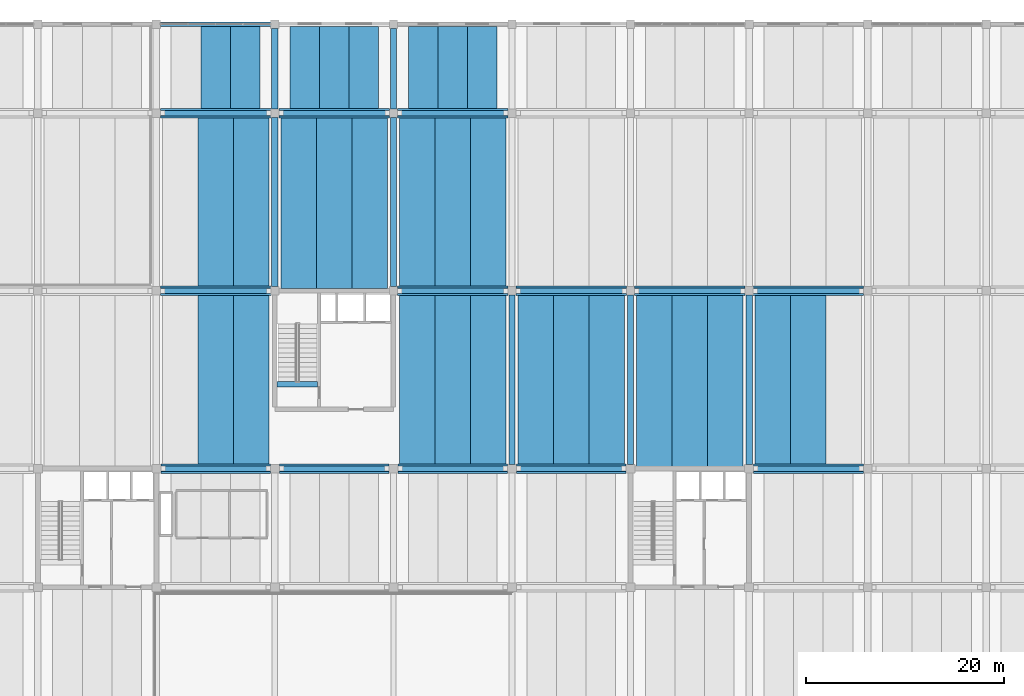
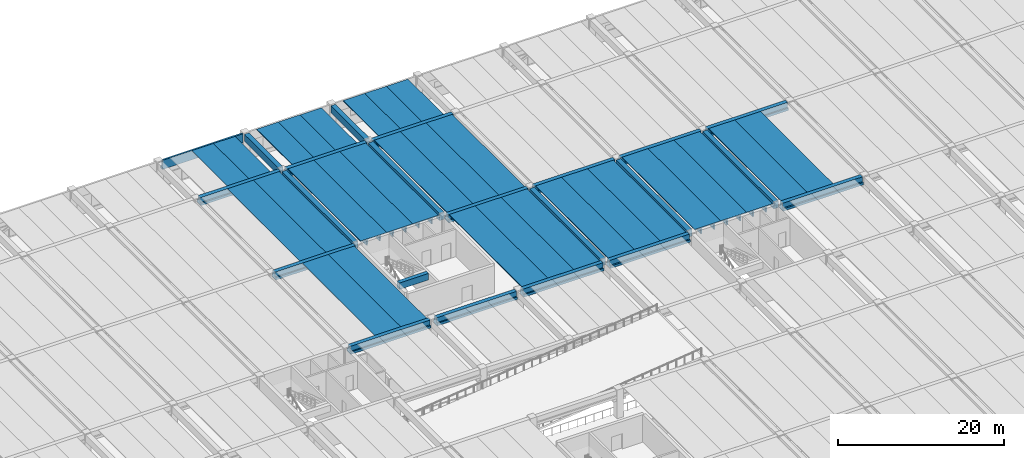
# One storey, part 18 of 50: 51 beams.
"""IFC4 building model written with IfcOpenShell, lengths in metres."""

from ifc_helpers import new_model, si_unit, direction, frame, origin, origin_2d, place, context, subcontext, project, spatial, polyline, rectangle, outline, extrude, material, material_profile, profile_set, type_object, element, save


model = new_model("IFC4")

# Units and contexts
model_context = context("Model", 3, precision=1e-05, world=origin(), true_north=direction((0.0, 1.0)))
body_context = subcontext(model_context, "Body", "Model", "MODEL_VIEW")
ifc_project = project(units=[si_unit("LENGTHUNIT", "METRE"), si_unit("AREAUNIT", "SQUARE_METRE"), si_unit("VOLUMEUNIT", "CUBIC_METRE"), si_unit("PLANEANGLEUNIT", "RADIAN"), si_unit("MASSUNIT", "GRAM", prefix="KILO")], contexts=[model_context])

# Site, building, storey
site_placement = place(None, origin())
site = spatial("IfcSite", under=ifc_project, at=site_placement, CompositionType="ELEMENT")
building_placement = place(site_placement, origin())
building = spatial("IfcBuilding", under=site, at=building_placement, Name="Girod Span Mobility Hub", CompositionType="ELEMENT")
storey_placement = place(building_placement, frame((0.0, 0.0, 5.39990234375)))
storey = spatial("IfcBuildingStorey", under=building, at=storey_placement, Name="L01", CompositionType="ELEMENT", Elevation=5.39990234375)

# Beams
ifc_material_1 = material(Name="Concrete C50/60", Category="concrete")
ifc_material_profile_1 = material_profile(ifc_material_1, outline(polyline([(-1.5, 0.35009765625), (-1.5, 0.2548828125), (-0.840087890625, 0.2548828125), (-0.81494140625, -0.35009765625), (-0.68505859375, -0.35009765625), (-0.659912109375, 0.2548828125), (0.659912109375, 0.2548828125), (0.68505859375, -0.35009765625), (0.81494140625, -0.35009765625), (0.840087890625, 0.2548828125), (1.5, 0.2548828125), (1.5, 0.35009765625), (-1.5, 0.35009765625)])), Name="DT-3000X700")
ifc_profile_set_1 = profile_set([ifc_material_profile_1], Name="Concrete C50/60")
beam_type_1 = type_object("IfcBeamType", Name="BM-DT-3000X700", PredefinedType="JOIST", material=ifc_profile_set_1)
for number, where, z_axis, x_axis, name in (
    (1, (66.0, 105.27197265625, 3.690185546875), (0.0, 1.0, 0.0), (-1.0, 0.0, 0.0), "Double-Tee Deck 6/H-2 L01"),
    (2, (69.0, 105.27197265625, 3.690185546875), (0.0, 1.0, 0.0), (-1.0, 0.0, 0.0), "Double-Tee Deck 6/H-3 L01"),
    (3, (75.0, 105.27197265625, 3.690185546875), (0.0, 1.0, 0.0), (-1.0, 0.0, 0.0), "Double-Tee Deck 7/H-1 L01"),
    (4, (78.0, 105.27197265625, 3.690185546875), (0.0, 1.0, 0.0), (-1.0, 0.0, 0.0), "Double-Tee Deck 7/H-2 L01"),
    (5, (81.0, 105.27197265625, 3.690185546875), (0.0, 1.0, 0.0), (-1.0, 0.0, 0.0), "Double-Tee Deck 7/H-3 L01"),
    (6, (87.0, 105.27197265625, 3.690185546875), (0.0, 1.0, 0.0), (-1.0, 0.0, 0.0), "Double-Tee Deck 8/H-1 L01"),
    (7, (90.0, 105.27197265625, 3.690185546875), (0.0, 1.0, 0.0), (-1.0, 0.0, 0.0), "Double-Tee Deck 8/H-2 L01"),
    (8, (93.0, 105.27197265625, 3.690185546875), (0.0, 1.0, 0.0), (-1.0, 0.0, 0.0), "Double-Tee Deck 8/H-3 L01"),
):
    element("IfcBeam", number, at=place(storey_placement, frame(where, z_axis=z_axis, x_axis=x_axis)), inside=storey, type_object=beam_type_1, Name=name, PredefinedType="JOIST", context=body_context, shape_type="SweptSolid", body=[
        extrude(outline(polyline([(-1.5, 0.35009765625), (-1.5, 0.2548828125), (-0.840087890625, 0.2548828125), (-0.81494140625, -0.35009765625), (-0.68505859375, -0.35009765625), (-0.659912109375, 0.2548828125), (0.659912109375, 0.2548828125), (0.68505859375, -0.35009765625), (0.81494140625, -0.35009765625), (0.840087890625, 0.2548828125), (1.5, 0.2548828125), (1.5, 0.35009765625), (-1.5, 0.35009765625)])), origin(), (0.0, 0.0, 1.0), 8.506103515625),
    ])
ifc_material_2 = material(Name="Concrete C50/60", Category="concrete")
ifc_material_profile_2 = material_profile(ifc_material_2, outline(polyline([(-1.800048828125, 0.47509765625), (-1.800048828125, 0.364990234375), (-1.010009765625, 0.364990234375), (-0.97509765625, -0.47509765625), (-0.824951171875, -0.47509765625), (-0.7900390625, 0.364990234375), (0.7900390625, 0.364990234375), (0.824951171875, -0.47509765625), (0.97509765625, -0.47509765625), (1.010009765625, 0.364990234375), (1.800048828125, 0.364990234375), (1.800048828125, 0.47509765625), (-1.800048828125, 0.47509765625)])), Name="DT-3600X950")
ifc_profile_set_2 = profile_set([ifc_material_profile_2], Name="Concrete C50/60")
beam_type_2 = type_object("IfcBeamType", Name="BM-DT-3600X950", PredefinedType="JOIST", material=ifc_profile_set_2)
for number, where, z_axis, x_axis, name in (
    (9, (66.0, 69.27197265625, 3.565185546875), (0.0, 1.0, 0.0), (-1.0, 0.0, 0.0), "Double-Tee Deck 6/F-2 L01"),
    (10, (69.60009765625, 69.27197265625, 3.565185546875), (0.0, 1.0, 0.0), (-1.0, 0.0, 0.0), "Double-Tee Deck 6/F-3 L01"),
    (11, (66.0, 87.27197265625, 3.565185546875), (0.0, 1.0, 0.0), (-1.0, 0.0, 0.0), "Double-Tee Deck 6/G-2 L01"),
    (12, (69.60009765625, 87.27197265625, 3.565185546875), (0.0, 1.0, 0.0), (-1.0, 0.0, 0.0), "Double-Tee Deck 6/G-3 L01"),
):
    element("IfcBeam", number, at=place(storey_placement, frame(where, z_axis=z_axis, x_axis=x_axis)), inside=storey, type_object=beam_type_2, Name=name, PredefinedType="JOIST", context=body_context, shape_type="SweptSolid", body=[
        extrude(outline(polyline([(-1.800048828125, 0.47509765625), (-1.800048828125, 0.364990234375), (-1.010009765625, 0.364990234375), (-0.97509765625, -0.47509765625), (-0.824951171875, -0.47509765625), (-0.7900390625, 0.364990234375), (0.7900390625, 0.364990234375), (0.824951171875, -0.47509765625), (0.97509765625, -0.47509765625), (1.010009765625, 0.364990234375), (1.800048828125, 0.364990234375), (1.800048828125, 0.47509765625), (-1.800048828125, 0.47509765625)])), origin(), (0.0, 0.0, 1.0), 17.4560546875),
    ])
for number, where, z_axis, x_axis, name in (
    (13, (74.39990234375, 87.221923828125, 3.565185546875), (0.0, 1.0, 0.0), (-1.0, 0.0, 0.0), "Double-Tee Deck 7/G-1 L01"),
    (14, (78.0, 87.221923828125, 3.565185546875), (0.0, 1.0, 0.0), (-1.0, 0.0, 0.0), "Double-Tee Deck 7/G-2 L01"),
    (15, (81.60009765625, 87.221923828125, 3.565185546875), (0.0, 1.0, 0.0), (-1.0, 0.0, 0.0), "Double-Tee Deck 7/G-3 L01"),
):
    element("IfcBeam", number, at=place(storey_placement, frame(where, z_axis=z_axis, x_axis=x_axis)), inside=storey, type_object=beam_type_2, Name=name, PredefinedType="JOIST", context=body_context, shape_type="SweptSolid", body=[
        extrude(outline(polyline([(-1.800048828125, 0.47509765625), (-1.800048828125, 0.364990234375), (-1.010009765625, 0.364990234375), (-0.97509765625, -0.47509765625), (-0.824951171875, -0.47509765625), (-0.7900390625, 0.364990234375), (0.7900390625, 0.364990234375), (0.824951171875, -0.47509765625), (0.97509765625, -0.47509765625), (1.010009765625, 0.364990234375), (1.800048828125, 0.364990234375), (1.800048828125, 0.47509765625), (-1.800048828125, 0.47509765625)])), origin(), (0.0, 0.0, 1.0), 17.506103515625),
    ])
for number, where, z_axis, x_axis, name in (
    (16, (86.39990234375, 69.27197265625, 3.565185546875), (0.0, 1.0, 0.0), (-1.0, 0.0, 0.0), "Double-Tee Deck 8/F-1 L01"),
    (17, (90.0, 69.27197265625, 3.565185546875), (0.0, 1.0, 0.0), (-1.0, 0.0, 0.0), "Double-Tee Deck 8/F-2 L01"),
    (18, (93.60009765625, 69.27197265625, 3.565185546875), (0.0, 1.0, 0.0), (-1.0, 0.0, 0.0), "Double-Tee Deck 8/F-3 L01"),
    (19, (86.39990234375, 87.27197265625, 3.565185546875), (0.0, 1.0, 0.0), (-1.0, 0.0, 0.0), "Double-Tee Deck 8/G-1 L01"),
    (20, (90.0, 87.27197265625, 3.565185546875), (0.0, 1.0, 0.0), (-1.0, 0.0, 0.0), "Double-Tee Deck 8/G-2 L01"),
    (21, (93.60009765625, 87.27197265625, 3.565185546875), (0.0, 1.0, 0.0), (-1.0, 0.0, 0.0), "Double-Tee Deck 8/G-3 L01"),
    (22, (98.39990234375, 69.27197265625, 3.565185546875), (0.0, 1.0, 0.0), (-1.0, 0.0, 0.0), "Double-Tee Deck 9/F-1 L01"),
    (23, (102.0, 69.27197265625, 3.565185546875), (0.0, 1.0, 0.0), (-1.0, 0.0, 0.0), "Double-Tee Deck 9/F-2 L01"),
    (24, (105.60009765625, 69.27197265625, 3.565185546875), (0.0, 1.0, 0.0), (-1.0, 0.0, 0.0), "Double-Tee Deck 9/F-3 L01"),
):
    element("IfcBeam", number, at=place(storey_placement, frame(where, z_axis=z_axis, x_axis=x_axis)), inside=storey, type_object=beam_type_2, Name=name, PredefinedType="JOIST", context=body_context, shape_type="SweptSolid", body=[
        extrude(outline(polyline([(-1.800048828125, 0.47509765625), (-1.800048828125, 0.364990234375), (-1.010009765625, 0.364990234375), (-0.97509765625, -0.47509765625), (-0.824951171875, -0.47509765625), (-0.7900390625, 0.364990234375), (0.7900390625, 0.364990234375), (0.824951171875, -0.47509765625), (0.97509765625, -0.47509765625), (1.010009765625, 0.364990234375), (1.800048828125, 0.364990234375), (1.800048828125, 0.47509765625), (-1.800048828125, 0.47509765625)])), origin(), (0.0, 0.0, 1.0), 17.4560546875),
    ])
for number, where, z_axis, x_axis, name in (
    (25, (110.39990234375, 69.2470703125, 3.565185546875), (0.0, 1.0, 0.0), (-1.0, 0.0, 0.0), "Double-Tee Deck 10/F-1 L01"),
    (26, (114.0, 69.2470703125, 3.565185546875), (0.0, 1.0, 0.0), (-1.0, 0.0, 0.0), "Double-Tee Deck 10/F-2 L01"),
    (27, (117.60009765625, 69.2470703125, 3.565185546875), (0.0, 1.0, 0.0), (-1.0, 0.0, 0.0), "Double-Tee Deck 10/F-3 L01"),
):
    element("IfcBeam", number, at=place(storey_placement, frame(where, z_axis=z_axis, x_axis=x_axis)), inside=storey, type_object=beam_type_2, Name=name, PredefinedType="JOIST", context=body_context, shape_type="SweptSolid", body=[
        extrude(outline(polyline([(-1.800048828125, 0.47509765625), (-1.800048828125, 0.364990234375), (-1.010009765625, 0.364990234375), (-0.97509765625, -0.47509765625), (-0.824951171875, -0.47509765625), (-0.7900390625, 0.364990234375), (0.7900390625, 0.364990234375), (0.824951171875, -0.47509765625), (0.97509765625, -0.47509765625), (1.010009765625, 0.364990234375), (1.800048828125, 0.364990234375), (1.800048828125, 0.47509765625), (-1.800048828125, 0.47509765625)])), origin(), (0.0, 0.0, 1.0), 17.48095703125),
    ])
for number, where, z_axis, x_axis, name in (
    (28, (122.39990234375, 69.27197265625, 3.565185546875), (0.0, 1.0, 0.0), (-1.0, 0.0, 0.0), "Double-Tee Deck 11/F-1 L01"),
    (29, (126.0, 69.27197265625, 3.565185546875), (0.0, 1.0, 0.0), (-1.0, 0.0, 0.0), "Double-Tee Deck 11/F-2 L01"),
):
    element("IfcBeam", number, at=place(storey_placement, frame(where, z_axis=z_axis, x_axis=x_axis)), inside=storey, type_object=beam_type_2, Name=name, PredefinedType="JOIST", context=body_context, shape_type="SweptSolid", body=[
        extrude(outline(polyline([(-1.800048828125, 0.47509765625), (-1.800048828125, 0.364990234375), (-1.010009765625, 0.364990234375), (-0.97509765625, -0.47509765625), (-0.824951171875, -0.47509765625), (-0.7900390625, 0.364990234375), (0.7900390625, 0.364990234375), (0.824951171875, -0.47509765625), (0.97509765625, -0.47509765625), (1.010009765625, 0.364990234375), (1.800048828125, 0.364990234375), (1.800048828125, 0.47509765625), (-1.800048828125, 0.47509765625)])), origin(), (0.0, 0.0, 1.0), 17.4560546875),
    ])
ifc_material_3 = material(Name="Concrete C50/60", Category="concrete")
ifc_material_profile_3 = material_profile(ifc_material_3, outline(polyline([(-0.47509765625, -0.52490234375), (0.47509765625, -0.52490234375), (0.47509765625, -0.175048828125), (0.27490234375, -0.175048828125), (0.27490234375, 0.52490234375), (-0.27490234375, 0.52490234375), (-0.27490234375, -0.175048828125), (-0.47509765625, -0.175048828125), (-0.47509765625, -0.52490234375)])), Name="IT-950X1050")
ifc_profile_set_3 = profile_set([ifc_material_profile_3], Name="Concrete C50/60")
beam_type_3 = type_object("IfcBeamType", Name="BM-IT-950X1050", PredefinedType="T_BEAM", material=ifc_profile_set_3)
for number, where, z_axis, x_axis, name in (
    (30, (60.447021484375, 69.0, 3.51513671875), (1.0, 0.0, 0.0), (0.0, 1.0, 0.0), "Girder 6-7/F L01"),
    (31, (72.447021484375, 69.0, 3.51513671875), (1.0, 0.0, 0.0), (0.0, 1.0, 0.0), "Girder 7-8/F L01"),
    (32, (84.447021484375, 69.0, 3.51513671875), (1.0, 0.0, 0.0), (0.0, 1.0, 0.0), "Girder 8-9/F L01"),
    (33, (96.447021484375, 69.0, 3.51513671875), (1.0, 0.0, 0.0), (0.0, 1.0, 0.0), "Girder 9-10/F L01"),
):
    element("IfcBeam", number, at=place(storey_placement, frame(where, z_axis=z_axis, x_axis=x_axis)), inside=storey, type_object=beam_type_3, Name=name, PredefinedType="T_BEAM", context=body_context, shape_type="SweptSolid", body=[
        extrude(outline(polyline([(-0.47509765625, -0.52490234375), (0.47509765625, -0.52490234375), (0.47509765625, -0.175048828125), (0.27490234375, -0.175048828125), (0.27490234375, 0.52490234375), (-0.27490234375, 0.52490234375), (-0.27490234375, -0.175048828125), (-0.47509765625, -0.175048828125), (-0.47509765625, -0.52490234375)])), origin(), (0.0, 0.0, 1.0), 11.10595703125),
    ])
beam_1_placement = place(storey_placement, frame((120.447021484375, 69.0, 3.51513671875), z_axis=(1.0, 0.0, 0.0), x_axis=(0.0, 1.0, 0.0)))
element("IfcBeam", 34, at=beam_1_placement, inside=storey, type_object=beam_type_3, Name="Girder 11-12/F L01", PredefinedType="T_BEAM", context=body_context, shape_type="SweptSolid", body=[
    extrude(outline(polyline([(-0.47509765625, -0.52490234375), (0.47509765625, -0.52490234375), (0.47509765625, -0.175048828125), (0.27490234375, -0.175048828125), (0.27490234375, 0.52490234375), (-0.27490234375, 0.52490234375), (-0.27490234375, -0.175048828125), (-0.47509765625, -0.175048828125), (-0.47509765625, -0.52490234375)])), origin(), (0.0, 0.0, 1.0), 11.130859375),
])
for number, where, z_axis, x_axis, name in (
    (35, (60.422119140625, 87.0, 3.51513671875), (1.0, 0.0, 0.0), (0.0, 1.0, 0.0), "Girder 6-7/G L01"),
    (36, (84.422119140625, 87.0, 3.51513671875), (1.0, 0.0, 0.0), (0.0, 1.0, 0.0), "Girder 8-9/G L01"),
    (37, (96.422119140625, 87.0, 3.51513671875), (1.0, 0.0, 0.0), (0.0, 1.0, 0.0), "Girder 9-10/G L01"),
    (38, (108.422119140625, 87.0, 3.51513671875), (1.0, 0.0, 0.0), (0.0, 1.0, 0.0), "Girder 10-11/G L01"),
    (39, (120.422119140625, 87.0, 3.51513671875), (1.0, 0.0, 0.0), (0.0, 1.0, 0.0), "Girder 11-12/G L01"),
    (40, (60.422119140625, 105.0, 3.51513671875), (1.0, 0.0, 0.0), (0.0, 1.0, 0.0), "Girder 6-7/H L01"),
    (41, (72.422119140625, 105.0, 3.51513671875), (1.0, 0.0, 0.0), (0.0, 1.0, 0.0), "Girder 7-8/H L01"),
    (42, (84.422119140625, 105.0, 3.51513671875), (1.0, 0.0, 0.0), (0.0, 1.0, 0.0), "Girder 8-9/H L01"),
):
    element("IfcBeam", number, at=place(storey_placement, frame(where, z_axis=z_axis, x_axis=x_axis)), inside=storey, type_object=beam_type_3, Name=name, PredefinedType="T_BEAM", context=body_context, shape_type="SweptSolid", body=[
        extrude(outline(polyline([(-0.47509765625, -0.52490234375), (0.47509765625, -0.52490234375), (0.47509765625, -0.175048828125), (0.27490234375, -0.175048828125), (0.27490234375, 0.52490234375), (-0.27490234375, 0.52490234375), (-0.27490234375, -0.175048828125), (-0.47509765625, -0.175048828125), (-0.47509765625, -0.52490234375)])), origin(), (0.0, 0.0, 1.0), 11.15576171875),
    ])
ifc_material_4 = material(Name="Concrete C40/50", Category="concrete")
ifc_material_profile_4 = material_profile(ifc_material_4, rectangle(XDim=0.550048828125, YDim=0.949951171875, at=origin_2d()), Name="RK-550X950")
ifc_profile_set_4 = profile_set([ifc_material_profile_4], Name="Concrete C40/50")
beam_type_4 = type_object("IfcBeamType", Name="BM-RK-550X950", PredefinedType="BEAM", material=ifc_profile_set_4)
beam_2_placement = place(storey_placement, frame((72.221923828125, 77.550048828125, 3.565185546875), z_axis=(1.0, 0.0, 0.0), x_axis=(0.0, 1.0, 0.0)))
element("IfcBeam", 43, at=beam_2_placement, inside=storey, type_object=beam_type_4, Name="Stair ST-4 Landing Header Beam L01", PredefinedType="BEAM", context=body_context, shape_type="SweptSolid", body=[
    extrude(rectangle(XDim=0.550048828125, YDim=0.949951171875, at=origin_2d()), origin(), (0.0, 0.0, 1.0), 4.0810546875),
])
ifc_material_5 = material(Name="Concrete C40/50", Category="concrete")
ifc_material_profile_5 = material_profile(ifc_material_5, outline(polyline([(-0.22509765625, -0.675048828125), (0.22509765625, -0.675048828125), (0.22509765625, -0.324951171875), (0.02490234375, -0.324951171875), (0.02490234375, 0.675048828125), (-0.22509765625, 0.675048828125), (-0.22509765625, -0.675048828125)])), Name="SP-450X1350")
ifc_profile_set_5 = profile_set([ifc_material_profile_5], Name="Concrete C40/50")
beam_type_5 = type_object("IfcBeamType", Name="BM-SP-450X1350", PredefinedType="SPANDREL", material=ifc_profile_set_5)
beam_3_placement = place(storey_placement, frame((60.422119140625, 114.0, 3.364990234375), z_axis=(1.0, 0.0, 0.0), x_axis=(0.0, 1.0, 0.0)))
element("IfcBeam", 44, at=beam_3_placement, inside=storey, type_object=beam_type_5, Name="Girder 6-7/J L01", PredefinedType="SPANDREL", context=body_context, shape_type="SweptSolid", body=[
    extrude(outline(polyline([(-0.22509765625, -0.675048828125), (0.22509765625, -0.675048828125), (0.22509765625, -0.324951171875), (0.02490234375, -0.324951171875), (0.02490234375, 0.675048828125), (-0.22509765625, 0.675048828125), (-0.22509765625, -0.675048828125)])), origin(), (0.0, 0.0, 1.0), 11.15576171875),
])
ifc_material_6 = material(Name="Concrete C40/50", Category="concrete")
ifc_material_profile_6 = material_profile(ifc_material_6, rectangle(XDim=0.64990234375, YDim=1.0, at=origin_2d()), Name="TG-650X1000")
ifc_profile_set_6 = profile_set([ifc_material_profile_6], Name="Concrete C40/50")
beam_type_6 = type_object("IfcBeamType", Name="BM-TG-650X1000", PredefinedType="T_BEAM", material=ifc_profile_set_6)
beam_4_placement = place(storey_placement, frame((72.0, 87.422119140625, 3.5400390625), z_axis=(0.0, 1.0, 0.0), x_axis=(-1.0, 0.0, 0.0)))
element("IfcBeam", 45, at=beam_4_placement, inside=storey, type_object=beam_type_6, Name="Tie Girder 7/G-H L01", PredefinedType="T_BEAM", context=body_context, shape_type="SweptSolid", body=[
    extrude(rectangle(XDim=0.64990234375, YDim=1.0, at=origin_2d()), origin(), (0.0, 0.0, 1.0), 17.15576171875),
])
beam_5_placement = place(storey_placement, frame((72.0, 105.422119140625, 3.5400390625), z_axis=(0.0, 1.0, 0.0), x_axis=(-1.0, 0.0, 0.0)))
element("IfcBeam", 46, at=beam_5_placement, inside=storey, type_object=beam_type_6, Name="Tie Girder 7/H-J L01", PredefinedType="T_BEAM", context=body_context, shape_type="SweptSolid", body=[
    extrude(rectangle(XDim=0.64990234375, YDim=1.0, at=origin_2d()), origin(), (0.0, 0.0, 1.0), 8.15576171875),
])
beam_6_placement = place(storey_placement, frame((84.0, 87.422119140625, 3.5400390625), z_axis=(0.0, 1.0, 0.0), x_axis=(-1.0, 0.0, 0.0)))
element("IfcBeam", 47, at=beam_6_placement, inside=storey, type_object=beam_type_6, Name="Tie Girder 8/G-H L01", PredefinedType="T_BEAM", context=body_context, shape_type="SweptSolid", body=[
    extrude(rectangle(XDim=0.64990234375, YDim=1.0, at=origin_2d()), origin(), (0.0, 0.0, 1.0), 17.15576171875),
])
beam_7_placement = place(storey_placement, frame((84.0, 105.422119140625, 3.5400390625), z_axis=(0.0, 1.0, 0.0), x_axis=(-1.0, 0.0, 0.0)))
element("IfcBeam", 48, at=beam_7_placement, inside=storey, type_object=beam_type_6, Name="Tie Girder 8/H-J L01", PredefinedType="T_BEAM", context=body_context, shape_type="SweptSolid", body=[
    extrude(rectangle(XDim=0.64990234375, YDim=1.0, at=origin_2d()), origin(), (0.0, 0.0, 1.0), 8.15576171875),
])
for number, where, z_axis, x_axis, name in (
    (49, (96.0, 69.447021484375, 3.5400390625), (0.0, 1.0, 0.0), (-1.0, 0.0, 0.0), "Tie Girder 9/F-G L01"),
    (50, (108.0, 69.447021484375, 3.5400390625), (0.0, 1.0, 0.0), (-1.0, 0.0, 0.0), "Tie Girder 10/F-G L01"),
    (51, (120.0, 69.447021484375, 3.5400390625), (0.0, 1.0, 0.0), (-1.0, 0.0, 0.0), "Tie Girder 11/F-G L01"),
):
    element("IfcBeam", number, at=place(storey_placement, frame(where, z_axis=z_axis, x_axis=x_axis)), inside=storey, type_object=beam_type_6, Name=name, PredefinedType="T_BEAM", context=body_context, shape_type="SweptSolid", body=[
        extrude(rectangle(XDim=0.64990234375, YDim=1.0, at=origin_2d()), origin(), (0.0, 0.0, 1.0), 17.130859375),
    ])

save(model, "model.ifc")
